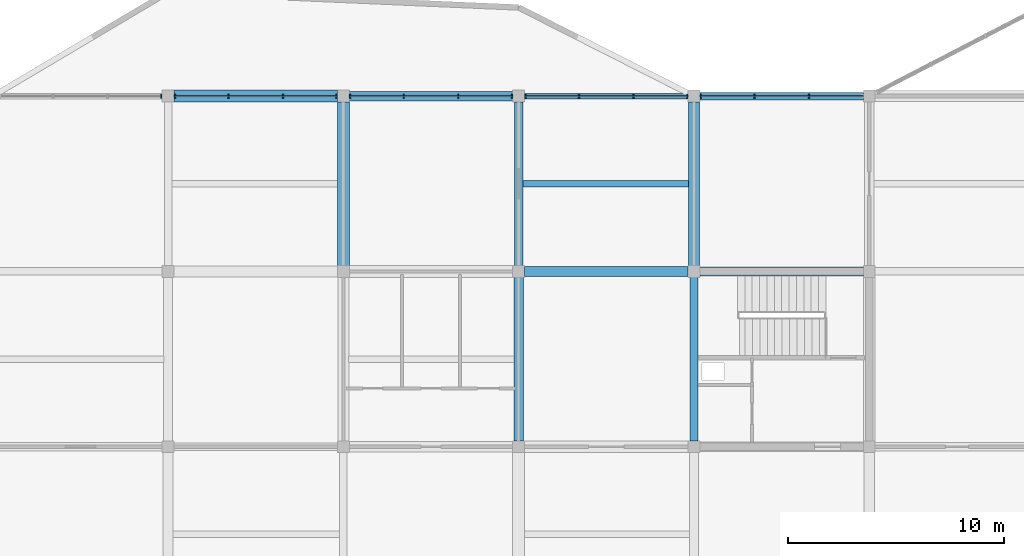
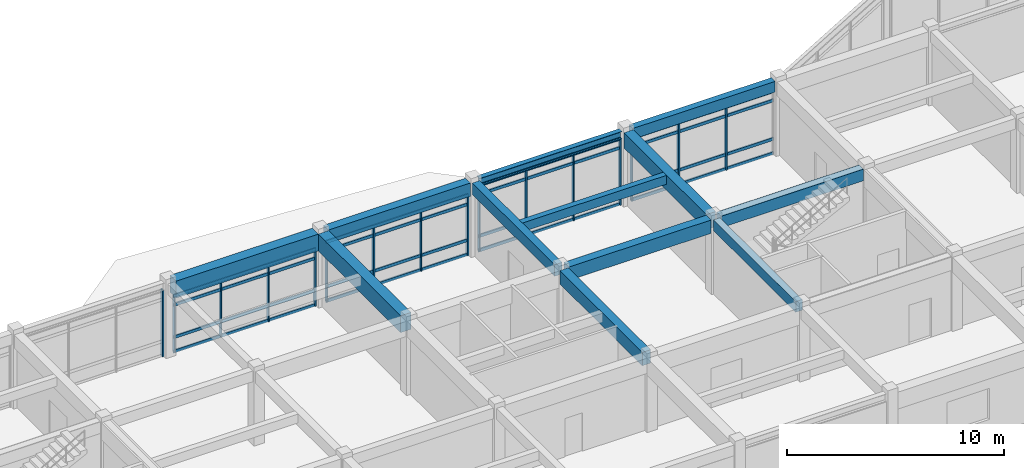
# One storey, part 11 of 42: 32 members, 12 beams, 5 elements without a shape of their own.
"""IFC4 building model written with IfcOpenShell, lengths in metres."""

from ifc_helpers import new_model, si_unit, direction, frame, origin, origin_2d, place, context, subcontext, project, spatial, rectangle, i_section, extrude, material, layer, layer_set, material_profile, profile_set, type_object, element, aggregate, save


model = new_model("IFC4")

# Units and contexts
model_context = context("Model", 3, precision=1e-05, world=origin(), true_north=direction((0.0, 1.0)))
body_context = subcontext(model_context, "Body", "Model", "MODEL_VIEW")
ifc_project = project(units=[si_unit("LENGTHUNIT", "METRE"), si_unit("AREAUNIT", "SQUARE_METRE"), si_unit("VOLUMEUNIT", "CUBIC_METRE"), si_unit("PLANEANGLEUNIT", "RADIAN"), si_unit("MASSUNIT", "GRAM", prefix="KILO")], contexts=[model_context])

# Site, building, storey
site_placement = place(None, origin())
site = spatial("IfcSite", under=ifc_project, at=site_placement, CompositionType="ELEMENT")
building_placement = place(site_placement, origin())
building = spatial("IfcBuilding", under=site, at=building_placement, Name="Vaudrelin Polytechnic", CompositionType="ELEMENT")
storey_placement = place(building_placement, frame((0.0, 0.0, 18.530029296875)))
storey = spatial("IfcBuildingStorey", under=building, at=storey_placement, Name="L04", CompositionType="ELEMENT", Elevation=18.530029296875)

# Beams
ifc_material_1 = material(Name="Concrete 40 MPa", Category="concrete")
ifc_material_profile_1 = material_profile(ifc_material_1, rectangle(XDim=0.35009765625, YDim=0.60009765625, at=origin_2d()), Name="RC350x600")
ifc_profile_set_1 = profile_set([ifc_material_profile_1], Name="Concrete 40 MPa")
beam_type_1 = type_object("IfcBeamType", Name="BM-BM-RC3560", PredefinedType="BEAM", material=ifc_profile_set_1)
beam_1_placement = place(storey_placement, frame((56.699951171875, 105.56005859375, 3.85986328125), z_axis=(0.0, 1.0, 0.0), x_axis=(-1.0, 0.0, 0.0)))
element("IfcBeam", 1, at=beam_1_placement, inside=storey, type_object=beam_type_1, Name="L04 Y-beam 8-14", PredefinedType="BEAM", context=body_context, shape_type="SweptSolid", body=[
    extrude(rectangle(XDim=0.35009765625, YDim=0.60009765625, at=origin_2d()), origin(), (0.0, 0.0, 1.0), 7.579833984375),
])
beam_2_placement = place(storey_placement, frame((56.970947265625, 121.5, 3.85986328125), z_axis=(1.0, 0.0, 0.0), x_axis=(0.0, 1.0, 0.0)))
element("IfcBeam", 2, at=beam_2_placement, inside=storey, type_object=beam_type_1, Name="L04 X-beam 8-16", PredefinedType="BEAM", context=body_context, shape_type="SweptSolid", body=[
    extrude(rectangle(XDim=0.35009765625, YDim=0.60009765625, at=origin_2d()), origin(), (0.0, 0.0, 1.0), 7.55810546875),
])
ifc_material_profile_2 = material_profile(ifc_material_1, rectangle(XDim=0.39990234375, YDim=0.64990234375, at=origin_2d()), Name="RC400x650")
ifc_profile_set_2 = profile_set([ifc_material_profile_2], Name="Concrete 40 MPa")
beam_type_2 = type_object("IfcBeamType", Name="BM-BM-RC4065", PredefinedType="BEAM", material=ifc_profile_set_2)
beam_3_placement = place(storey_placement, frame((48.60009765625, 113.659912109375, 3.8349609375), z_axis=(0.0, 1.0, 0.0), x_axis=(-1.0, 0.0, 0.0)))
element("IfcBeam", 3, at=beam_3_placement, inside=storey, type_object=beam_type_2, Name="L04 Y-beam 7-15", PredefinedType="BEAM", context=body_context, shape_type="SweptSolid", body=[
    extrude(rectangle(XDim=0.39990234375, YDim=0.64990234375, at=origin_2d()), origin(), (0.0, 0.0, 1.0), 7.580078125),
])
beam_4_placement = place(storey_placement, frame((56.970947265625, 113.39990234375, 3.8349609375), z_axis=(1.0, 0.0, 0.0), x_axis=(0.0, 1.0, 0.0)))
element("IfcBeam", 4, at=beam_4_placement, inside=storey, type_object=beam_type_2, Name="L04 X-beam 8-15", PredefinedType="BEAM", context=body_context, shape_type="SweptSolid", body=[
    extrude(rectangle(XDim=0.39990234375, YDim=0.64990234375, at=origin_2d()), origin(), (0.0, 0.0, 1.0), 7.55810546875),
])
ifc_material_profile_3 = material_profile(ifc_material_1, rectangle(XDim=0.449951171875, YDim=0.75, at=origin_2d()), Name="RC450x750")
ifc_profile_set_3 = profile_set([ifc_material_profile_3], Name="Concrete 40 MPa")
beam_type_3 = type_object("IfcBeamType", Name="BM-BM-RC4575", PredefinedType="BEAM", material=ifc_profile_set_3)
beam_5_placement = place(storey_placement, frame((48.60009765625, 105.56005859375, 3.784912109375), z_axis=(0.0, 1.0, 0.0), x_axis=(-1.0, 0.0, 0.0)))
element("IfcBeam", 5, at=beam_5_placement, inside=storey, type_object=beam_type_3, Name="L04 Y-beam 7-14", PredefinedType="BEAM", context=body_context, shape_type="SweptSolid", body=[
    extrude(rectangle(XDim=0.449951171875, YDim=0.75, at=origin_2d()), origin(), (0.0, 0.0, 1.0), 7.579833984375),
])
beam_6_placement = place(storey_placement, frame((40.77099609375, 121.5, 3.784912109375), z_axis=(1.0, 0.0, 0.0), x_axis=(0.0, 1.0, 0.0)))
element("IfcBeam", 6, at=beam_6_placement, inside=storey, type_object=beam_type_3, Name="L04 X-beam 6-16", PredefinedType="BEAM", context=body_context, shape_type="SweptSolid", body=[
    extrude(rectangle(XDim=0.449951171875, YDim=0.75, at=origin_2d()), origin(), (0.0, 0.0, 1.0), 7.55810546875),
])
beam_7_placement = place(storey_placement, frame((48.87109375, 113.39990234375, 3.784912109375), z_axis=(1.0, 0.0, 0.0), x_axis=(0.0, 1.0, 0.0)))
element("IfcBeam", 7, at=beam_7_placement, inside=storey, type_object=beam_type_3, Name="L04 X-beam 7-15", PredefinedType="BEAM", context=body_context, shape_type="SweptSolid", body=[
    extrude(rectangle(XDim=0.449951171875, YDim=0.75, at=origin_2d()), origin(), (0.0, 0.0, 1.0), 7.557861328125),
])
ifc_material_profile_4 = material_profile(ifc_material_1, rectangle(XDim=0.5, YDim=0.85009765625, at=origin_2d()), Name="RC500x850")
ifc_profile_set_4 = profile_set([ifc_material_profile_4], Name="Concrete 40 MPa")
beam_type_4 = type_object("IfcBeamType", Name="BM-BM-RC5085", PredefinedType="BEAM", material=ifc_profile_set_4)
beam_8_placement = place(storey_placement, frame((56.699951171875, 113.659912109375, 3.73486328125), z_axis=(0.0, 1.0, 0.0), x_axis=(-1.0, 0.0, 0.0)))
element("IfcBeam", 8, at=beam_8_placement, inside=storey, type_object=beam_type_4, Name="L04 Y-beam 8-15", PredefinedType="BEAM", context=body_context, shape_type="SweptSolid", body=[
    extrude(rectangle(XDim=0.5, YDim=0.85009765625, at=origin_2d()), origin(), (0.0, 0.0, 1.0), 7.580078125),
])
ifc_material_2 = material(Name="Concrete 50 MPa", Category="concrete")
ifc_material_profile_5 = material_profile(ifc_material_2, rectangle(XDim=0.550048828125, YDim=0.949951171875, at=origin_2d()), Name="RC550x950")
ifc_profile_set_5 = profile_set([ifc_material_profile_5], Name="Concrete 50 MPa")
beam_type_5 = type_object("IfcBeamType", Name="BM-BM-RC5595", PredefinedType="BEAM", material=ifc_profile_set_5)
beam_9_placement = place(storey_placement, frame((40.5, 113.659912109375, 3.68505859375), z_axis=(0.0, 1.0, 0.0), x_axis=(-1.0, 0.0, 0.0)))
element("IfcBeam", 9, at=beam_9_placement, inside=storey, type_object=beam_type_5, Name="L04 Y-beam 6-15", PredefinedType="BEAM", context=body_context, shape_type="SweptSolid", body=[
    extrude(rectangle(XDim=0.550048828125, YDim=0.949951171875, at=origin_2d()), origin(), (0.0, 0.0, 1.0), 7.580078125),
])
beam_10_placement = place(storey_placement, frame((32.6708984375, 121.5, 3.68505859375), z_axis=(1.0, 0.0, 0.0), x_axis=(0.0, 1.0, 0.0)))
element("IfcBeam", 10, at=beam_10_placement, inside=storey, type_object=beam_type_5, Name="L04 X-beam 5-16", PredefinedType="BEAM", context=body_context, shape_type="SweptSolid", body=[
    extrude(rectangle(XDim=0.550048828125, YDim=0.949951171875, at=origin_2d()), origin(), (0.0, 0.0, 1.0), 7.55810546875),
])
ifc_material_3 = material(Name="Steel CSA G40.21 350WT", Category="steel")
ifc_material_profile_6 = material_profile(ifc_material_3, i_section(OverallWidth=0.260009765625, OverallDepth=0.4150390625, WebThickness=0.010009765625, FlangeThickness=0.016845703125, FilletRadius=0.01611328125, at=origin_2d()), Name="W410x100")
ifc_profile_set_6 = profile_set([ifc_material_profile_6], Name="Steel CSA G40.21 350WT")
beam_type_6 = type_object("IfcBeamType", Name="BM-BM-W410H", PredefinedType="SPANDREL", material=ifc_profile_set_6)
beam_11_placement = place(storey_placement, frame((48.87109375, 121.5, 3.952392578125), z_axis=(1.0, 0.0, 0.0), x_axis=(0.0, 1.0, 0.0)))
element("IfcBeam", 11, at=beam_11_placement, inside=storey, type_object=beam_type_6, Name="L04 X-beam 7-16", PredefinedType="SPANDREL", context=body_context, shape_type="SweptSolid", body=[
    extrude(i_section(OverallWidth=0.260009765625, OverallDepth=0.4150390625, WebThickness=0.010009765625, FlangeThickness=0.016845703125, FilletRadius=0.01611328125, at=origin_2d()), origin(), (0.0, 0.0, 1.0), 7.557861328125),
])
ifc_material_profile_7 = material_profile(ifc_material_1, rectangle(XDim=0.300048828125, YDim=0.5, at=origin_2d()), Name="RC300x500")
ifc_profile_set_7 = profile_set([ifc_material_profile_7], Name="Concrete 40 MPa")
beam_type_7 = type_object("IfcBeamType", Name="BM-JS-RC3050", PredefinedType="JOIST", material=ifc_profile_set_7)
beam_12_placement = place(storey_placement, frame((48.7958984375, 117.449951171875, 3.909912109375), z_axis=(1.0, 0.0, 0.0), x_axis=(0.0, 1.0, 0.0)))
element("IfcBeam", 12, at=beam_12_placement, inside=storey, type_object=beam_type_7, Name="L04 floor joist 7-15", PredefinedType="JOIST", context=body_context, shape_type="SweptSolid", body=[
    extrude(rectangle(XDim=0.300048828125, YDim=0.5, at=origin_2d()), origin(), (0.0, 0.0, 1.0), 7.658203125),
])

# Curtain wall, member
ifc_material_4 = material(Name="Thermally broken anodised aluminium AA 6063-T6 and low-e triple glazing", Category="aluminium")
ifc_layer = layer(ifc_material_4, 0.199951171875)
ifc_layer_set = layer_set([ifc_layer], Name="Thermally broken anodised aluminium AA 6063-T6 and low-e triple glazing")
curtain_wall_type = type_object("IfcCurtainWallType", Name="CW-CW-STU", PredefinedType="USERDEFINED", material=ifc_layer_set)
curtain_wall_1_placement = place(storey_placement, origin())
curtain_wall_1 = element("IfcCurtainWall", 13, at=curtain_wall_1_placement, inside=storey, type_object=curtain_wall_type, Name="Curtain wall L04 N_V5_03", ObjectType="CURTAIN WALL", PredefinedType="USERDEFINED")
ifc_material_5 = material(Name="Anodised aluminium AA 6063-T6", Category="aluminium")
ifc_material_profile_8 = material_profile(ifc_material_5, rectangle(XDim=0.06494140625, YDim=0.179931640625, at=origin_2d()), Name="CWM-65x180")
ifc_profile_set_8 = profile_set([ifc_material_profile_8], Name="Anodised aluminium AA 6063-T6")
member_type_1 = type_object("IfcMemberType", Name="MEM-CWM-180", PredefinedType="MULLION", material=ifc_profile_set_8)
member_1_placement = place(storey_placement, frame((32.0869140625, 121.5, 0.0), z_axis=(0.0, 0.0, 1.0), x_axis=(1.0, 0.0, 0.0)))
member_1 = element("IfcMember", 14, at=member_1_placement, type_object=member_type_1, Name="N_V5_03 mullion 4", PredefinedType="MULLION", context=body_context, shape_type="SweptSolid", body=[
    extrude(rectangle(XDim=0.06494140625, YDim=0.179931640625, at=origin_2d()), origin(), (0.0, 0.0, 1.0), 3.7470703125),
])
aggregate(curtain_wall_1, [member_1])

# Curtain wall, members
curtain_wall_2_placement = place(storey_placement, origin())
curtain_wall_2 = element("IfcCurtainWall", 15, at=curtain_wall_2_placement, inside=storey, type_object=curtain_wall_type, Name="Curtain wall L04 N_V5_04", ObjectType="CURTAIN WALL", PredefinedType="USERDEFINED")
member_2_placement = place(storey_placement, frame((32.712890625, 121.5, 0.0), z_axis=(0.0, 0.0, 1.0), x_axis=(1.0, 0.0, 0.0)))
member_2 = element("IfcMember", 16, at=member_2_placement, type_object=member_type_1, Name="N_V5_04 mullion 1", PredefinedType="MULLION", context=body_context, shape_type="SweptSolid", body=[
    extrude(rectangle(XDim=0.06494140625, YDim=0.179931640625, at=origin_2d()), origin(), (0.0, 0.0, 1.0), 3.2119140625),
])
member_3_placement = place(storey_placement, frame((35.19091796875, 121.5, 0.0), z_axis=(0.0, 0.0, 1.0), x_axis=(1.0, 0.0, 0.0)))
member_3 = element("IfcMember", 17, at=member_3_placement, type_object=member_type_1, Name="N_V5_04 mullion 2", PredefinedType="MULLION", context=body_context, shape_type="SweptSolid", body=[
    extrude(rectangle(XDim=0.06494140625, YDim=0.179931640625, at=origin_2d()), origin(), (0.0, 0.0, 1.0), 3.2119140625),
])
member_4_placement = place(storey_placement, frame((37.708984375, 121.5, 0.0), z_axis=(0.0, 0.0, 1.0), x_axis=(1.0, 0.0, 0.0)))
member_4 = element("IfcMember", 18, at=member_4_placement, type_object=member_type_1, Name="N_V5_04 mullion 3", PredefinedType="MULLION", context=body_context, shape_type="SweptSolid", body=[
    extrude(rectangle(XDim=0.06494140625, YDim=0.179931640625, at=origin_2d()), origin(), (0.0, 0.0, 1.0), 3.2119140625),
])
member_5_placement = place(storey_placement, frame((40.18701171875, 121.5, 0.0), z_axis=(0.0, 0.0, 1.0), x_axis=(1.0, 0.0, 0.0)))
member_5 = element("IfcMember", 19, at=member_5_placement, type_object=member_type_1, Name="N_V5_04 mullion 4", PredefinedType="MULLION", context=body_context, shape_type="SweptSolid", body=[
    extrude(rectangle(XDim=0.06494140625, YDim=0.179931640625, at=origin_2d()), origin(), (0.0, 0.0, 1.0), 3.2119140625),
])

curtain_wall_3_placement = place(storey_placement, origin())
curtain_wall_3 = element("IfcCurtainWall", 20, at=curtain_wall_3_placement, inside=storey, type_object=curtain_wall_type, Name="Curtain wall L04 N_V5_05", ObjectType="CURTAIN WALL", PredefinedType="USERDEFINED")
member_6_placement = place(storey_placement, frame((40.81298828125, 121.5, 0.0), z_axis=(0.0, 0.0, 1.0), x_axis=(1.0, 0.0, 0.0)))
member_6 = element("IfcMember", 21, at=member_6_placement, type_object=member_type_1, Name="N_V5_05 mullion 1", PredefinedType="MULLION", context=body_context, shape_type="SweptSolid", body=[
    extrude(rectangle(XDim=0.06494140625, YDim=0.179931640625, at=origin_2d()), origin(), (0.0, 0.0, 1.0), 3.411865234375),
])
member_7_placement = place(storey_placement, frame((43.291015625, 121.5, 0.0), z_axis=(0.0, 0.0, 1.0), x_axis=(1.0, 0.0, 0.0)))
member_7 = element("IfcMember", 22, at=member_7_placement, type_object=member_type_1, Name="N_V5_05 mullion 2", PredefinedType="MULLION", context=body_context, shape_type="SweptSolid", body=[
    extrude(rectangle(XDim=0.06494140625, YDim=0.179931640625, at=origin_2d()), origin(), (0.0, 0.0, 1.0), 3.411865234375),
])
member_8_placement = place(storey_placement, frame((45.80908203125, 121.5, 0.0), z_axis=(0.0, 0.0, 1.0), x_axis=(1.0, 0.0, 0.0)))
member_8 = element("IfcMember", 23, at=member_8_placement, type_object=member_type_1, Name="N_V5_05 mullion 3", PredefinedType="MULLION", context=body_context, shape_type="SweptSolid", body=[
    extrude(rectangle(XDim=0.06494140625, YDim=0.179931640625, at=origin_2d()), origin(), (0.0, 0.0, 1.0), 3.411865234375),
])
member_9_placement = place(storey_placement, frame((48.287109375, 121.5, 0.0), z_axis=(0.0, 0.0, 1.0), x_axis=(1.0, 0.0, 0.0)))
member_9 = element("IfcMember", 24, at=member_9_placement, type_object=member_type_1, Name="N_V5_05 mullion 4", PredefinedType="MULLION", context=body_context, shape_type="SweptSolid", body=[
    extrude(rectangle(XDim=0.06494140625, YDim=0.179931640625, at=origin_2d()), origin(), (0.0, 0.0, 1.0), 3.411865234375),
])

curtain_wall_4_placement = place(storey_placement, origin())
curtain_wall_4 = element("IfcCurtainWall", 25, at=curtain_wall_4_placement, inside=storey, type_object=curtain_wall_type, Name="Curtain wall L04 N_V5_06", ObjectType="CURTAIN WALL", PredefinedType="USERDEFINED")
member_10_placement = place(storey_placement, frame((48.9130859375, 121.5, 0.0), z_axis=(0.0, 0.0, 1.0), x_axis=(1.0, 0.0, 0.0)))
member_10 = element("IfcMember", 26, at=member_10_placement, type_object=member_type_1, Name="N_V5_06 mullion 1", PredefinedType="MULLION", context=body_context, shape_type="SweptSolid", body=[
    extrude(rectangle(XDim=0.06494140625, YDim=0.179931640625, at=origin_2d()), origin(), (0.0, 0.0, 1.0), 3.7470703125),
])
member_11_placement = place(storey_placement, frame((51.39111328125, 121.5, 0.0), z_axis=(0.0, 0.0, 1.0), x_axis=(1.0, 0.0, 0.0)))
member_11 = element("IfcMember", 27, at=member_11_placement, type_object=member_type_1, Name="N_V5_06 mullion 2", PredefinedType="MULLION", context=body_context, shape_type="SweptSolid", body=[
    extrude(rectangle(XDim=0.06494140625, YDim=0.179931640625, at=origin_2d()), origin(), (0.0, 0.0, 1.0), 3.7470703125),
])
member_12_placement = place(storey_placement, frame((53.908935546875, 121.5, 0.0), z_axis=(0.0, 0.0, 1.0), x_axis=(1.0, 0.0, 0.0)))
member_12 = element("IfcMember", 28, at=member_12_placement, type_object=member_type_1, Name="N_V5_06 mullion 3", PredefinedType="MULLION", context=body_context, shape_type="SweptSolid", body=[
    extrude(rectangle(XDim=0.06494140625, YDim=0.179931640625, at=origin_2d()), origin(), (0.0, 0.0, 1.0), 3.7470703125),
])
member_13_placement = place(storey_placement, frame((56.386962890625, 121.5, 0.0), z_axis=(0.0, 0.0, 1.0), x_axis=(1.0, 0.0, 0.0)))
member_13 = element("IfcMember", 29, at=member_13_placement, type_object=member_type_1, Name="N_V5_06 mullion 4", PredefinedType="MULLION", context=body_context, shape_type="SweptSolid", body=[
    extrude(rectangle(XDim=0.06494140625, YDim=0.179931640625, at=origin_2d()), origin(), (0.0, 0.0, 1.0), 3.7470703125),
])

curtain_wall_5_placement = place(storey_placement, origin())
curtain_wall_5 = element("IfcCurtainWall", 30, at=curtain_wall_5_placement, inside=storey, type_object=curtain_wall_type, Name="Curtain wall L04 N_V5_07", ObjectType="CURTAIN WALL", PredefinedType="USERDEFINED")
member_14_placement = place(storey_placement, frame((57.012939453125, 121.5, 0.0), z_axis=(0.0, 0.0, 1.0), x_axis=(1.0, 0.0, 0.0)))
member_14 = element("IfcMember", 31, at=member_14_placement, type_object=member_type_1, Name="N_V5_07 mullion 1", PredefinedType="MULLION", context=body_context, shape_type="SweptSolid", body=[
    extrude(rectangle(XDim=0.06494140625, YDim=0.179931640625, at=origin_2d()), origin(), (0.0, 0.0, 1.0), 3.56201171875),
])
member_15_placement = place(storey_placement, frame((59.490966796875, 121.5, 0.0), z_axis=(0.0, 0.0, 1.0), x_axis=(1.0, 0.0, 0.0)))
member_15 = element("IfcMember", 32, at=member_15_placement, type_object=member_type_1, Name="N_V5_07 mullion 2", PredefinedType="MULLION", context=body_context, shape_type="SweptSolid", body=[
    extrude(rectangle(XDim=0.06494140625, YDim=0.179931640625, at=origin_2d()), origin(), (0.0, 0.0, 1.0), 3.56201171875),
])
member_16_placement = place(storey_placement, frame((62.009033203125, 121.5, 0.0), z_axis=(0.0, 0.0, 1.0), x_axis=(1.0, 0.0, 0.0)))
member_16 = element("IfcMember", 33, at=member_16_placement, type_object=member_type_1, Name="N_V5_07 mullion 3", PredefinedType="MULLION", context=body_context, shape_type="SweptSolid", body=[
    extrude(rectangle(XDim=0.06494140625, YDim=0.179931640625, at=origin_2d()), origin(), (0.0, 0.0, 1.0), 3.56201171875),
])

# Member
ifc_material_profile_9 = material_profile(ifc_material_5, rectangle(XDim=0.074951171875, YDim=0.1650390625, at=origin_2d()), Name="CWT-75x165")
ifc_profile_set_9 = profile_set([ifc_material_profile_9], Name="Anodised aluminium AA 6063-T6")
member_type_2 = type_object("IfcMemberType", Name="MEM-CWT-165", PredefinedType="USERDEFINED", material=ifc_profile_set_9)
member_17_placement = place(storey_placement, frame((32.673095703125, 121.5, 0.050048828125), z_axis=(1.0, 0.0, 0.0), x_axis=(0.0, 1.0, 0.0)))
member_17 = element("IfcMember", 34, at=member_17_placement, type_object=member_type_2, Name="N_V5_04 transom 1", ObjectType="TRANSOM", PredefinedType="USERDEFINED", context=body_context, shape_type="SweptSolid", body=[
    extrude(rectangle(XDim=0.074951171875, YDim=0.1650390625, at=origin_2d()), origin(), (0.0, 0.0, 1.0), 7.553955078125),
])

member_18_placement = place(storey_placement, frame((32.673095703125, 121.5, 0.849853515625), z_axis=(1.0, 0.0, 0.0), x_axis=(0.0, 1.0, 0.0)))
member_18 = element("IfcMember", 35, at=member_18_placement, type_object=member_type_2, Name="N_V5_04 transom 2", ObjectType="TRANSOM", PredefinedType="USERDEFINED", context=body_context, shape_type="SweptSolid", body=[
    extrude(rectangle(XDim=0.074951171875, YDim=0.1650390625, at=origin_2d()), origin(), (0.0, 0.0, 1.0), 7.553955078125),
])

member_19_placement = place(storey_placement, frame((32.673095703125, 121.5, 2.661865234375), z_axis=(1.0, 0.0, 0.0), x_axis=(0.0, 1.0, 0.0)))
member_19 = element("IfcMember", 36, at=member_19_placement, type_object=member_type_2, Name="N_V5_04 transom 3", ObjectType="TRANSOM", PredefinedType="USERDEFINED", context=body_context, shape_type="SweptSolid", body=[
    extrude(rectangle(XDim=0.074951171875, YDim=0.1650390625, at=origin_2d()), origin(), (0.0, 0.0, 1.0), 7.553955078125),
])

member_20_placement = place(storey_placement, frame((32.673095703125, 121.5, 3.161865234375), z_axis=(1.0, 0.0, 0.0), x_axis=(0.0, 1.0, 0.0)))
member_20 = element("IfcMember", 37, at=member_20_placement, type_object=member_type_2, Name="N_V5_04 transom 4", ObjectType="TRANSOM", PredefinedType="USERDEFINED", context=body_context, shape_type="SweptSolid", body=[
    extrude(rectangle(XDim=0.074951171875, YDim=0.1650390625, at=origin_2d()), origin(), (0.0, 0.0, 1.0), 7.553955078125),
])

aggregate(curtain_wall_2, [member_2, member_3, member_4, member_5, member_17, member_18, member_19, member_20])

member_21_placement = place(storey_placement, frame((40.77294921875, 121.5, 0.050048828125), z_axis=(1.0, 0.0, 0.0), x_axis=(0.0, 1.0, 0.0)))
member_21 = element("IfcMember", 38, at=member_21_placement, type_object=member_type_2, Name="N_V5_05 transom 1", ObjectType="TRANSOM", PredefinedType="USERDEFINED", context=body_context, shape_type="SweptSolid", body=[
    extrude(rectangle(XDim=0.074951171875, YDim=0.1650390625, at=origin_2d()), origin(), (0.0, 0.0, 1.0), 7.553955078125),
])

member_22_placement = place(storey_placement, frame((40.77294921875, 121.5, 0.849853515625), z_axis=(1.0, 0.0, 0.0), x_axis=(0.0, 1.0, 0.0)))
member_22 = element("IfcMember", 39, at=member_22_placement, type_object=member_type_2, Name="N_V5_05 transom 2", ObjectType="TRANSOM", PredefinedType="USERDEFINED", context=body_context, shape_type="SweptSolid", body=[
    extrude(rectangle(XDim=0.074951171875, YDim=0.1650390625, at=origin_2d()), origin(), (0.0, 0.0, 1.0), 7.553955078125),
])

member_23_placement = place(storey_placement, frame((40.77294921875, 121.5, 2.862060546875), z_axis=(1.0, 0.0, 0.0), x_axis=(0.0, 1.0, 0.0)))
member_23 = element("IfcMember", 40, at=member_23_placement, type_object=member_type_2, Name="N_V5_05 transom 3", ObjectType="TRANSOM", PredefinedType="USERDEFINED", context=body_context, shape_type="SweptSolid", body=[
    extrude(rectangle(XDim=0.074951171875, YDim=0.1650390625, at=origin_2d()), origin(), (0.0, 0.0, 1.0), 7.553955078125),
])

member_24_placement = place(storey_placement, frame((40.77294921875, 121.5, 3.362060546875), z_axis=(1.0, 0.0, 0.0), x_axis=(0.0, 1.0, 0.0)))
member_24 = element("IfcMember", 41, at=member_24_placement, type_object=member_type_2, Name="N_V5_05 transom 4", ObjectType="TRANSOM", PredefinedType="USERDEFINED", context=body_context, shape_type="SweptSolid", body=[
    extrude(rectangle(XDim=0.074951171875, YDim=0.1650390625, at=origin_2d()), origin(), (0.0, 0.0, 1.0), 7.553955078125),
])

aggregate(curtain_wall_3, [member_6, member_7, member_8, member_9, member_21, member_22, member_23, member_24])

member_25_placement = place(storey_placement, frame((48.873046875, 121.5, 0.050048828125), z_axis=(1.0, 0.0, 0.0), x_axis=(0.0, 1.0, 0.0)))
member_25 = element("IfcMember", 42, at=member_25_placement, type_object=member_type_2, Name="N_V5_06 transom 1", ObjectType="TRANSOM", PredefinedType="USERDEFINED", context=body_context, shape_type="SweptSolid", body=[
    extrude(rectangle(XDim=0.074951171875, YDim=0.1650390625, at=origin_2d()), origin(), (0.0, 0.0, 1.0), 7.553955078125),
])

member_26_placement = place(storey_placement, frame((48.873046875, 121.5, 0.849853515625), z_axis=(1.0, 0.0, 0.0), x_axis=(0.0, 1.0, 0.0)))
member_26 = element("IfcMember", 43, at=member_26_placement, type_object=member_type_2, Name="N_V5_06 transom 2", ObjectType="TRANSOM", PredefinedType="USERDEFINED", context=body_context, shape_type="SweptSolid", body=[
    extrude(rectangle(XDim=0.074951171875, YDim=0.1650390625, at=origin_2d()), origin(), (0.0, 0.0, 1.0), 7.553955078125),
])

member_27_placement = place(storey_placement, frame((48.873046875, 121.5, 3.197021484375), z_axis=(1.0, 0.0, 0.0), x_axis=(0.0, 1.0, 0.0)))
member_27 = element("IfcMember", 44, at=member_27_placement, type_object=member_type_2, Name="N_V5_06 transom 3", ObjectType="TRANSOM", PredefinedType="USERDEFINED", context=body_context, shape_type="SweptSolid", body=[
    extrude(rectangle(XDim=0.074951171875, YDim=0.1650390625, at=origin_2d()), origin(), (0.0, 0.0, 1.0), 7.553955078125),
])

member_28_placement = place(storey_placement, frame((48.873046875, 121.5, 3.697021484375), z_axis=(1.0, 0.0, 0.0), x_axis=(0.0, 1.0, 0.0)))
member_28 = element("IfcMember", 45, at=member_28_placement, type_object=member_type_2, Name="N_V5_06 transom 4", ObjectType="TRANSOM", PredefinedType="USERDEFINED", context=body_context, shape_type="SweptSolid", body=[
    extrude(rectangle(XDim=0.074951171875, YDim=0.1650390625, at=origin_2d()), origin(), (0.0, 0.0, 1.0), 7.553955078125),
])

aggregate(curtain_wall_4, [member_10, member_11, member_12, member_13, member_25, member_26, member_27, member_28])

member_29_placement = place(storey_placement, frame((56.972900390625, 121.5, 0.050048828125), z_axis=(1.0, 0.0, 0.0), x_axis=(0.0, 1.0, 0.0)))
member_29 = element("IfcMember", 46, at=member_29_placement, type_object=member_type_2, Name="N_V5_07 transom 1", ObjectType="TRANSOM", PredefinedType="USERDEFINED", context=body_context, shape_type="SweptSolid", body=[
    extrude(rectangle(XDim=0.074951171875, YDim=0.1650390625, at=origin_2d()), origin(), (0.0, 0.0, 1.0), 7.55419921875),
])

member_30_placement = place(storey_placement, frame((56.972900390625, 121.5, 0.849853515625), z_axis=(1.0, 0.0, 0.0), x_axis=(0.0, 1.0, 0.0)))
member_30 = element("IfcMember", 47, at=member_30_placement, type_object=member_type_2, Name="N_V5_07 transom 2", ObjectType="TRANSOM", PredefinedType="USERDEFINED", context=body_context, shape_type="SweptSolid", body=[
    extrude(rectangle(XDim=0.074951171875, YDim=0.1650390625, at=origin_2d()), origin(), (0.0, 0.0, 1.0), 7.55419921875),
])

member_31_placement = place(storey_placement, frame((56.972900390625, 121.5, 3.011962890625), z_axis=(1.0, 0.0, 0.0), x_axis=(0.0, 1.0, 0.0)))
member_31 = element("IfcMember", 48, at=member_31_placement, type_object=member_type_2, Name="N_V5_07 transom 3", ObjectType="TRANSOM", PredefinedType="USERDEFINED", context=body_context, shape_type="SweptSolid", body=[
    extrude(rectangle(XDim=0.074951171875, YDim=0.1650390625, at=origin_2d()), origin(), (0.0, 0.0, 1.0), 7.55419921875),
])

member_32_placement = place(storey_placement, frame((56.972900390625, 121.5, 3.511962890625), z_axis=(1.0, 0.0, 0.0), x_axis=(0.0, 1.0, 0.0)))
member_32 = element("IfcMember", 49, at=member_32_placement, type_object=member_type_2, Name="N_V5_07 transom 4", ObjectType="TRANSOM", PredefinedType="USERDEFINED", context=body_context, shape_type="SweptSolid", body=[
    extrude(rectangle(XDim=0.074951171875, YDim=0.1650390625, at=origin_2d()), origin(), (0.0, 0.0, 1.0), 7.55419921875),
])

aggregate(curtain_wall_5, [member_14, member_15, member_16, member_29, member_30, member_31, member_32])

save(model, "model.ifc")
